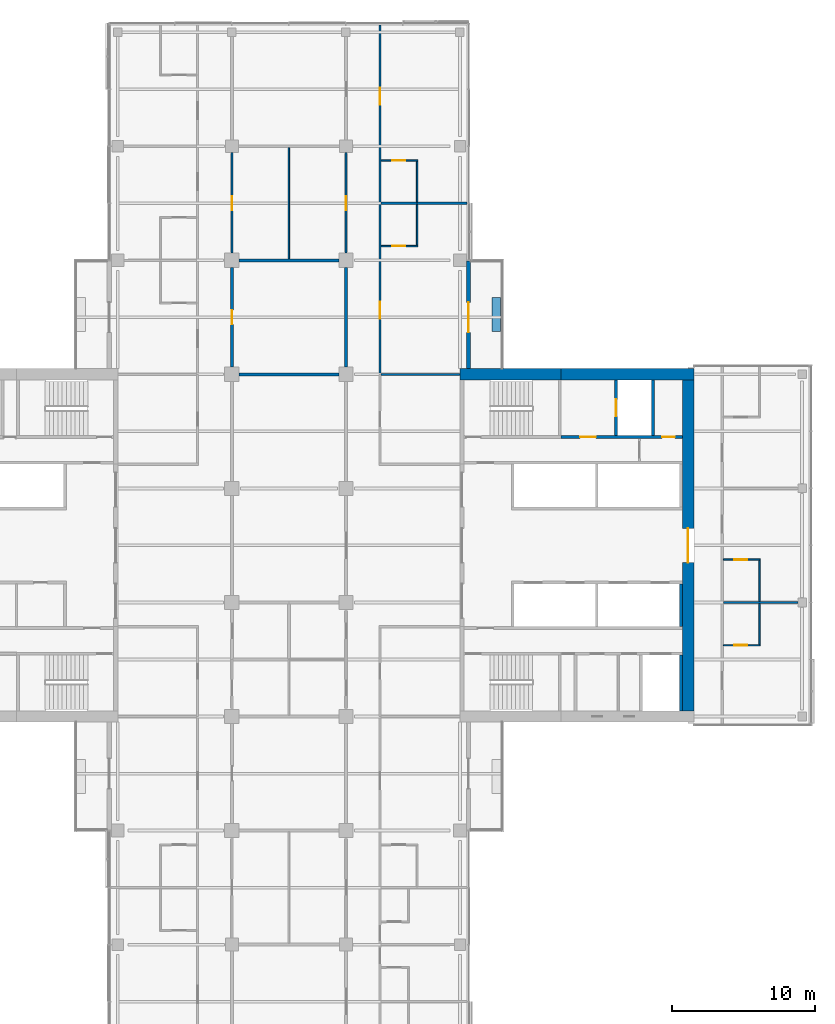
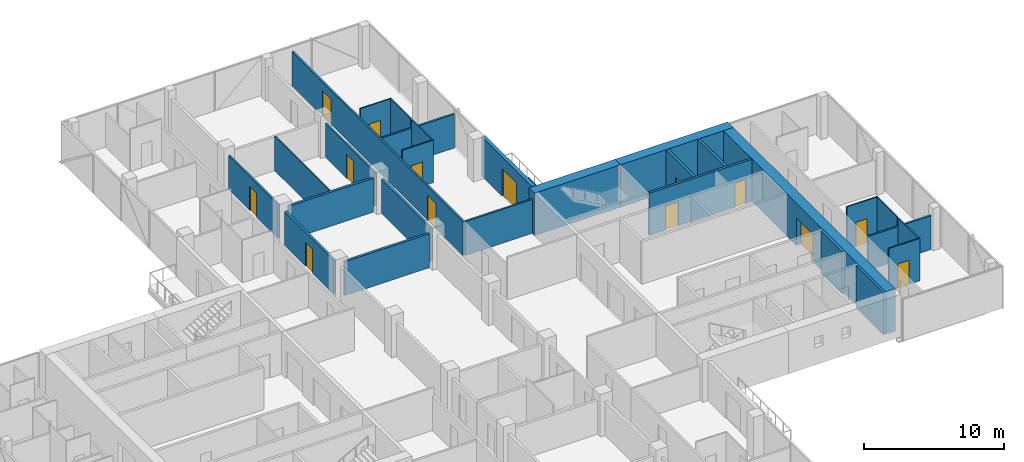
# One storey, part 19 of 25: 29 walls, 14 doors, 14 openings.
"""IFC4 building model written with IfcOpenShell, lengths in metres."""

from ifc_helpers import new_model, si_unit, direction, frame, frame_2d, origin, place, context, subcontext, project, spatial, rectangle, extrude, material, layer, layer_set, constituent, constituent_set, type_object, element, fill, save


model = new_model("IFC4")

# Units and contexts
model_context = context("Model", 3, precision=1e-05, world=origin(), true_north=direction((0.0, 1.0)))
body_context = subcontext(model_context, "Body", "Model", "MODEL_VIEW")
ifc_project = project(units=[si_unit("LENGTHUNIT", "METRE"), si_unit("AREAUNIT", "SQUARE_METRE"), si_unit("VOLUMEUNIT", "CUBIC_METRE"), si_unit("PLANEANGLEUNIT", "RADIAN"), si_unit("MASSUNIT", "GRAM", prefix="KILO")], contexts=[model_context])

# Site, building, storey
site_placement = place(None, origin())
site = spatial("IfcSite", under=ifc_project, at=site_placement, CompositionType="ELEMENT")
building_placement = place(site_placement, origin())
building = spatial("IfcBuilding", under=site, at=building_placement, Name="Crosswind Convention Tower", CompositionType="ELEMENT")
storey_placement = place(building_placement, frame((0.0, 0.0, 97.89990234375)))
storey = spatial("IfcBuildingStorey", under=building, at=storey_placement, Name="L19", CompositionType="ELEMENT", Elevation=97.89990234375)

# Wall, opening, door
ifc_material_1 = material(Name="Plasterboard partition", Category="gypsum")
ifc_layer_1 = layer(ifc_material_1, 0.14990234375)
ifc_layer_set_1 = layer_set([ifc_layer_1], Name="CORRIDOR WALL 150")
wall_type_1 = type_object("IfcWallType", Name="CORRIDOR WALL 150", PredefinedType="PARTITIONING", material=ifc_layer_set_1)
wall_1_placement = place(storey_placement, frame((121.0, 120.5, 0.0), z_axis=(0.0, 0.0, 1.0), x_axis=(0.0, 1.0, 0.0)))
wall_1 = element("IfcWall", 1, at=wall_1_placement, inside=storey, type_object=wall_type_1, Name="Corridor Wall 74", PredefinedType="PARTITIONING", context=body_context, shape_type="SweptSolid", body=[
    extrude(rectangle(XDim=7.050048828125, YDim=0.14990234375, at=frame_2d((3.52490234375, 0.0))), origin(), (0.0, 0.0, 1.0), 2.9599609375),
])
opening_1_placement = place(wall_1_placement, frame((3.0, 0.0, 0.0)))
opening_1 = element("IfcOpeningElement", 2, at=opening_1_placement, cuts=wall_1, Name="Opening 19.053", PredefinedType="OPENING", context=body_context, shape_type="SweptSolid", body=[
    extrude(rectangle(XDim=1.0, YDim=2.10009765625, at=frame_2d((0.5, 1.050048828125))), frame((0.0, 0.0849609375, 0.0), z_axis=(0.0, -1.0, 0.0), x_axis=(1.0, 0.0, 0.0)), (0.0, 0.0, 1.0), 0.169921875),
])
ifc_material_2 = material(Name="Timber fire door", Category="wood")
door_type_1 = type_object("IfcDoorType", Name="SERVICE ROOM DOOR 1000X2100", OperationType="NOTDEFINED", PredefinedType="DOOR", material=ifc_material_2)
door_1_placement = place(opening_1_placement, frame((1.0, 0.0, 0.0), z_axis=(0.0, 0.0, 1.0), x_axis=(-1.0, 0.0, 0.0)))
door_1 = element("IfcDoor", 3, at=door_1_placement, inside=storey, type_object=door_type_1, Name="Door 19.053", ObjectType="D3", OperationType="SINGLE_SWING_LEFT", OverallHeight=2.10009765625, OverallWidth=1.0, PredefinedType="DOOR", context=body_context, shape_type="SweptSolid", body=[
    extrude(rectangle(XDim=1.0, YDim=2.10009765625, at=frame_2d((0.5, 1.050048828125))), frame((0.0, 0.02490234375, 0.0), z_axis=(0.0, -1.0, 0.0), x_axis=(1.0, 0.0, 0.0)), (0.0, 0.0, 1.0), 0.050048828125),
])
fill(opening_1, door_1)

wall_2_placement = place(storey_placement, frame((129.0, 120.5, 0.0), z_axis=(0.0, 0.0, 1.0), x_axis=(0.0, 1.0, 0.0)))
wall_2 = element("IfcWall", 4, at=wall_2_placement, inside=storey, type_object=wall_type_1, Name="Corridor Wall 87", PredefinedType="PARTITIONING", context=body_context, shape_type="SweptSolid", body=[
    extrude(rectangle(XDim=7.050048828125, YDim=0.14990234375, at=frame_2d((3.52490234375, 0.0))), origin(), (0.0, 0.0, 1.0), 2.9599609375),
])
opening_2_placement = place(wall_2_placement, frame((3.0, 0.0, 0.0)))
opening_2 = element("IfcOpeningElement", 5, at=opening_2_placement, cuts=wall_2, Name="Opening 19.054", PredefinedType="OPENING", context=body_context, shape_type="SweptSolid", body=[
    extrude(rectangle(XDim=1.0, YDim=2.10009765625, at=frame_2d((0.5, 1.050048828125))), frame((0.0, 0.0849609375, 0.0), z_axis=(0.0, -1.0, 0.0), x_axis=(1.0, 0.0, 0.0)), (0.0, 0.0, 1.0), 0.169921875),
])
door_2_placement = place(opening_2_placement, origin())
door_2 = element("IfcDoor", 6, at=door_2_placement, inside=storey, type_object=door_type_1, Name="Door 19.054", ObjectType="D3", OperationType="SINGLE_SWING_RIGHT", OverallHeight=2.10009765625, OverallWidth=1.0, PredefinedType="DOOR", context=body_context, shape_type="SweptSolid", body=[
    extrude(rectangle(XDim=1.0, YDim=2.10009765625, at=frame_2d((0.5, 1.050048828125))), frame((0.0, 0.02490234375, 0.0), z_axis=(0.0, -1.0, 0.0), x_axis=(1.0, 0.0, 0.0)), (0.0, 0.0, 1.0), 0.050048828125),
])
fill(opening_2, door_2)

ifc_material_3 = material(Name="Concrete C60/75", Category="concrete")
ifc_layer_2 = layer(ifc_material_3, 0.800048828125)
ifc_layer_set_2 = layer_set([ifc_layer_2], Name="Concrete C60/75")
wall_type_2 = type_object("IfcWallType", Name="Concrete core wall 800", PredefinedType="SHEAR", material=ifc_layer_set_2)
wall_3_placement = place(storey_placement, frame((153.0, 88.39990234375, 0.0), z_axis=(0.0, 0.0, 1.0), x_axis=(0.0, 1.0, 0.0)))
wall_3 = element("IfcWall", 7, at=wall_3_placement, inside=storey, type_object=wall_type_2, Name="Wall O E L19", PredefinedType="SHEAR", context=body_context, shape_type="SweptSolid", body=[
    extrude(rectangle(XDim=23.2001953125, YDim=0.800048828125, at=frame_2d((11.60009765625, 0.0))), origin(), (0.0, 0.0, 1.0), 3.7001953125),
])
opening_3_placement = place(wall_3_placement, frame((10.39990234375, 0.0, 0.0)))
opening_3 = element("IfcOpeningElement", 8, at=opening_3_placement, cuts=wall_3, Name="Opening D100", PredefinedType="OPENING", context=body_context, shape_type="SweptSolid", body=[
    extrude(rectangle(XDim=2.39990234375, YDim=2.39990234375, at=frame_2d((1.199951171875, 1.199951171875))), frame((0.0, 0.409912109375, 0.0), z_axis=(0.0, -1.0, 0.0), x_axis=(1.0, 0.0, 0.0)), (0.0, 0.0, 1.0), 0.820068359375),
])
ifc_material_4 = material(Name="Steel fire door with glazed vision panels", Category="steel")
door_type_2 = type_object("IfcDoorType", Name="Fire-rated double door 2400x2400", OperationType="DOUBLE_DOOR_SINGLE_SWING", PredefinedType="DOOR", material=ifc_material_4)
door_3_placement = place(opening_3_placement, origin())
door_3 = element("IfcDoor", 9, at=door_3_placement, inside=storey, type_object=door_type_2, Name="Lobby outer door L19", ObjectType="D100", OperationType="DOUBLE_DOOR_SINGLE_SWING", OverallHeight=2.39990234375, OverallWidth=2.39990234375, PredefinedType="DOOR", context=body_context, shape_type="SweptSolid", body=[
    extrude(rectangle(XDim=2.39990234375, YDim=2.39990234375, at=frame_2d((1.199951171875, 1.199951171875))), frame((0.0, 0.02490234375, 0.0), z_axis=(0.0, -1.0, 0.0), x_axis=(1.0, 0.0, 0.0)), (0.0, 0.0, 1.0), 0.050048828125),
])
fill(opening_3, door_3)

# Wall
ifc_material_5 = material(Name="Concrete C50/60", Category="concrete")
ifc_layer_3 = layer(ifc_material_5, 0.199951171875)
ifc_layer_set_3 = layer_set([ifc_layer_3], Name="Concrete C50/60")
wall_type_3 = type_object("IfcWallType", Name="Concrete shaft and stair wall 200", PredefinedType="SHEAR", material=ifc_layer_set_3)
wall_4_placement = place(storey_placement, frame((152.5, 94.300048828125, 0.0), z_axis=(0.0, 0.0, 1.0), x_axis=(0.0, 1.0, 0.0)))
element("IfcWall", 10, at=wall_4_placement, inside=storey, type_object=wall_type_3, Name="Wall RMEAST E L19", PredefinedType="SHEAR", context=body_context, shape_type="SweptSolid", body=[
    extrude(rectangle(XDim=3.0, YDim=0.199951171875, at=frame_2d((1.5, 0.0))), origin(), (0.0, 0.0, 1.0), 3.7001953125),
])

# Wall, opening, door
wall_5_placement = place(storey_placement, frame((147.949951171875, 107.699951171875, 0.0), z_axis=(0.0, 0.0, 1.0), x_axis=(0.0, 1.0, 0.0)))
wall_5 = element("IfcWall", 11, at=wall_5_placement, inside=storey, type_object=wall_type_3, Name="Wall PFLW E L19", PredefinedType="SHEAR", context=body_context, shape_type="SweptSolid", body=[
    extrude(rectangle(XDim=3.900146484375, YDim=0.199951171875, at=frame_2d((1.9501953125, 0.0))), origin(), (0.0, 0.0, 1.0), 3.7001953125),
])
opening_4_placement = place(wall_5_placement, frame((1.35009765625, 0.0, 0.0)))
opening_4 = element("IfcOpeningElement", 12, at=opening_4_placement, cuts=wall_5, Name="Opening LD1", PredefinedType="OPENING", context=body_context, shape_type="SweptSolid", body=[
    extrude(rectangle(XDim=1.199951171875, YDim=2.10009765625, at=frame_2d((0.60009765625, 1.050048828125))), frame((0.0, 0.10986328125, 0.0), z_axis=(0.0, -1.0, 0.0), x_axis=(1.0, 0.0, 0.0)), (0.0, 0.0, 1.0), 0.219970703125),
])
ifc_material_6 = material(Name="Stainless steel", Category="steel")
door_type_3 = type_object("IfcDoorType", Name="Lift landing door 1200x2100", OperationType="DOUBLE_DOOR_SLIDING", PredefinedType="DOOR", material=ifc_material_6)
door_4_placement = place(opening_4_placement, origin())
door_4 = element("IfcDoor", 13, at=door_4_placement, inside=storey, type_object=door_type_3, Name="Landing door FF1 L19", ObjectType="LD1", OperationType="DOUBLE_DOOR_SLIDING", OverallHeight=2.10009765625, OverallWidth=1.199951171875, PredefinedType="DOOR", context=body_context, shape_type="SweptSolid", body=[
    extrude(rectangle(XDim=1.199951171875, YDim=2.10009765625, at=frame_2d((0.60009765625, 1.050048828125))), frame((0.0, 0.02490234375, 0.0), z_axis=(0.0, -1.0, 0.0), x_axis=(1.0, 0.0, 0.0)), (0.0, 0.0, 1.0), 0.050048828125),
])
fill(opening_4, door_4)

# Wall
wall_6_placement = place(storey_placement, frame((150.550048828125, 107.699951171875, 0.0), z_axis=(0.0, 0.0, 1.0), x_axis=(0.0, 1.0, 0.0)))
element("IfcWall", 14, at=wall_6_placement, inside=storey, type_object=wall_type_3, Name="Wall PFSE E L19", PredefinedType="SHEAR", context=body_context, shape_type="SweptSolid", body=[
    extrude(rectangle(XDim=3.900146484375, YDim=0.199951171875, at=frame_2d((1.9501953125, 0.0))), origin(), (0.0, 0.0, 1.0), 3.7001953125),
])

# Wall, openings, doors
wall_7_placement = place(storey_placement, frame((144.10009765625, 107.60009765625, 0.0), z_axis=(0.0, 0.0, 1.0), x_axis=(1.0, 0.0, 0.0)))
wall_7 = element("IfcWall", 15, at=wall_7_placement, inside=storey, type_object=wall_type_3, Name="Wall PCX E L19", PredefinedType="SHEAR", context=body_context, shape_type="SweptSolid", body=[
    extrude(rectangle(XDim=8.5, YDim=0.199951171875, at=frame_2d((4.25, 0.0))), origin(), (0.0, 0.0, 1.0), 3.7001953125),
])
opening_5_placement = place(wall_7_placement, frame((1.324951171875, 0.0, 0.0)))
opening_5 = element("IfcOpeningElement", 16, at=opening_5_placement, cuts=wall_7, Name="Opening D104", PredefinedType="OPENING", context=body_context, shape_type="SweptSolid", body=[
    extrude(rectangle(XDim=1.10009765625, YDim=2.10009765625, at=frame_2d((0.550048828125, 1.050048828125))), frame((0.0, 0.10986328125, 0.0), z_axis=(0.0, -1.0, 0.0), x_axis=(1.0, 0.0, 0.0)), (0.0, 0.0, 1.0), 0.219970703125),
])
opening_6_placement = place(wall_7_placement, frame((7.074951171875, 0.0, 0.0)))
opening_6 = element("IfcOpeningElement", 17, at=opening_6_placement, cuts=wall_7, Name="Opening D106", PredefinedType="OPENING", context=body_context, shape_type="SweptSolid", body=[
    extrude(rectangle(XDim=0.89990234375, YDim=2.10009765625, at=frame_2d((0.449951171875, 1.050048828125))), frame((0.0, 0.10986328125, 0.0), z_axis=(0.0, -1.0, 0.0), x_axis=(1.0, 0.0, 0.0)), (0.0, 0.0, 1.0), 0.219970703125),
])
ifc_material_7 = material(Name="Steel fire door", Category="steel")
door_type_4 = type_object("IfcDoorType", Name="Fire-rated single door 1100x2100", OperationType="NOTDEFINED", PredefinedType="DOOR", material=ifc_material_7)
door_5_placement = place(opening_5_placement, origin())
door_5 = element("IfcDoor", 18, at=door_5_placement, inside=storey, type_object=door_type_4, Name="Fire-fighting lobby FF1 door L19", ObjectType="D104", OperationType="SINGLE_SWING_RIGHT", OverallHeight=2.10009765625, OverallWidth=1.10009765625, PredefinedType="DOOR", context=body_context, shape_type="SweptSolid", body=[
    extrude(rectangle(XDim=1.10009765625, YDim=2.10009765625, at=frame_2d((0.550048828125, 1.050048828125))), frame((0.0, 0.02490234375, 0.0), z_axis=(0.0, -1.0, 0.0), x_axis=(1.0, 0.0, 0.0)), (0.0, 0.0, 1.0), 0.050048828125),
])
fill(opening_5, door_5)
ifc_material_8 = material(Name="Timber door", Category="wood")
door_type_5 = type_object("IfcDoorType", Name="Single leaf door 900x2100", OperationType="NOTDEFINED", PredefinedType="DOOR", material=ifc_material_8)
door_6_placement = place(opening_6_placement, origin())
door_6 = element("IfcDoor", 19, at=door_6_placement, inside=storey, type_object=door_type_5, Name="Door to telecoms room L19", ObjectType="D106", OperationType="SINGLE_SWING_RIGHT", OverallHeight=2.10009765625, OverallWidth=0.89990234375, PredefinedType="DOOR", context=body_context, shape_type="SweptSolid", body=[
    extrude(rectangle(XDim=0.89990234375, YDim=2.10009765625, at=frame_2d((0.449951171875, 1.050048828125))), frame((0.0, 0.02490234375, 0.0), z_axis=(0.0, -1.0, 0.0), x_axis=(1.0, 0.0, 0.0)), (0.0, 0.0, 1.0), 0.050048828125),
])
fill(opening_6, door_6)

# Walls
wall_8_placement = place(storey_placement, frame((152.5, 88.39990234375, 0.0), z_axis=(0.0, 0.0, 1.0), x_axis=(0.0, 1.0, 0.0)))
element("IfcWall", 20, at=wall_8_placement, inside=storey, type_object=wall_type_3, Name="Wall MFSE E L19", PredefinedType="SHEAR", context=body_context, shape_type="SweptSolid", body=[
    extrude(rectangle(XDim=3.900146484375, YDim=0.199951171875, at=frame_2d((1.9501953125, 0.0))), origin(), (0.0, 0.0, 1.0), 3.7001953125),
])
ifc_material_9 = material(Name="Acoustic plasterboard partition", Category="gypsum")
ifc_layer_4 = layer(ifc_material_9, 0.14990234375)
ifc_layer_set_4 = layer_set([ifc_layer_4], Name="GUEST ROOM WALL 150")
wall_type_4 = type_object("IfcWallType", Name="GUEST ROOM WALL 150", PredefinedType="PARTITIONING", material=ifc_layer_set_4)
wall_9_placement = place(storey_placement, frame((155.47509765625, 96.0, 0.0), z_axis=(0.0, 0.0, 1.0), x_axis=(1.0, 0.0, 0.0)))
element("IfcWall", 21, at=wall_9_placement, inside=storey, type_object=wall_type_4, Name="Guest Room Wall 25", PredefinedType="PARTITIONING", context=body_context, shape_type="SweptSolid", body=[
    extrude(rectangle(XDim=5.224853515625, YDim=0.14990234375, at=frame_2d((2.6123046875, 0.0))), origin(), (0.0, 0.0, 1.0), 2.95654296875),
])
wall_10_placement = place(storey_placement, frame((131.47509765625, 112.0, 0.0), z_axis=(0.0, 0.0, 1.0), x_axis=(1.0, 0.0, 0.0)))
element("IfcWall", 22, at=wall_10_placement, inside=storey, type_object=wall_type_4, Name="Guest Room Wall 40", PredefinedType="PARTITIONING", context=body_context, shape_type="SweptSolid", body=[
    extrude(rectangle(XDim=5.52490234375, YDim=0.14990234375, at=frame_2d((2.762451171875, 0.0))), origin(), (0.0, 0.0, 1.0), 2.95654296875),
])
wall_11_placement = place(storey_placement, frame((131.47509765625, 124.0, 0.0), z_axis=(0.0, 0.0, 1.0), x_axis=(1.0, 0.0, 0.0)))
element("IfcWall", 23, at=wall_11_placement, inside=storey, type_object=wall_type_4, Name="Guest Room Wall 46", PredefinedType="PARTITIONING", context=body_context, shape_type="SweptSolid", body=[
    extrude(rectangle(XDim=6.02490234375, YDim=0.14990234375, at=frame_2d((3.012451171875, 0.0))), origin(), (0.0, 0.0, 1.0), 2.962890625),
])

# Wall, openings, doors
wall_12_placement = place(storey_placement, frame((131.39990234375, 112.0, 0.0), z_axis=(0.0, 0.0, 1.0), x_axis=(0.0, 1.0, 0.0)))
wall_12 = element("IfcWall", 24, at=wall_12_placement, inside=storey, type_object=wall_type_4, Name="Guest Room Wall 92", PredefinedType="PARTITIONING", context=body_context, shape_type="SweptSolid", body=[
    extrude(rectangle(XDim=24.5, YDim=0.14990234375, at=frame_2d((12.25, 0.0))), origin(), (0.0, 0.0, 1.0), 2.95654296875),
])
opening_7_placement = place(wall_12_placement, frame((3.89990234375, 0.0, 0.0)))
opening_7 = element("IfcOpeningElement", 25, at=opening_7_placement, cuts=wall_12, Name="Opening 19.005", PredefinedType="OPENING", context=body_context, shape_type="SweptSolid", body=[
    extrude(rectangle(XDim=1.199951171875, YDim=2.199951171875, at=frame_2d((0.60009765625, 1.10009765625))), frame((0.0, 0.0849609375, 0.0), z_axis=(0.0, -1.0, 0.0), x_axis=(1.0, 0.0, 0.0)), (0.0, 0.0, 1.0), 0.169921875),
])
opening_8_placement = place(wall_12_placement, frame((18.89990234375, 0.0, 0.0)))
opening_8 = element("IfcOpeningElement", 26, at=opening_8_placement, cuts=wall_12, Name="Opening 19.007", PredefinedType="OPENING", context=body_context, shape_type="SweptSolid", body=[
    extrude(rectangle(XDim=1.199951171875, YDim=2.199951171875, at=frame_2d((0.60009765625, 1.10009765625))), frame((0.0, 0.0849609375, 0.0), z_axis=(0.0, -1.0, 0.0), x_axis=(1.0, 0.0, 0.0)), (0.0, 0.0, 1.0), 0.169921875),
])
door_type_6 = type_object("IfcDoorType", Name="SUITE DOOR 1200X2200", OperationType="DOUBLE_DOOR_SINGLE_SWING", PredefinedType="DOOR", material=ifc_material_2)
door_7_placement = place(opening_7_placement, frame((1.199951171875, 0.0, 0.0), z_axis=(0.0, 0.0, 1.0), x_axis=(-1.0, 0.0, 0.0)))
door_7 = element("IfcDoor", 27, at=door_7_placement, inside=storey, type_object=door_type_6, Name="Door 19.005", ObjectType="D14", OperationType="DOUBLE_DOOR_SINGLE_SWING", OverallHeight=2.199951171875, OverallWidth=1.199951171875, PredefinedType="DOOR", context=body_context, shape_type="SweptSolid", body=[
    extrude(rectangle(XDim=1.199951171875, YDim=2.199951171875, at=frame_2d((0.60009765625, 1.10009765625))), frame((0.0, 0.02490234375, 0.0), z_axis=(0.0, -1.0, 0.0), x_axis=(1.0, 0.0, 0.0)), (0.0, 0.0, 1.0), 0.050048828125),
])
fill(opening_7, door_7)
door_8_placement = place(opening_8_placement, frame((1.199951171875, 0.0, 0.0), z_axis=(0.0, 0.0, 1.0), x_axis=(-1.0, 0.0, 0.0)))
door_8 = element("IfcDoor", 28, at=door_8_placement, inside=storey, type_object=door_type_6, Name="Door 19.007", ObjectType="D14", OperationType="DOUBLE_DOOR_SINGLE_SWING", OverallHeight=2.199951171875, OverallWidth=1.199951171875, PredefinedType="DOOR", context=body_context, shape_type="SweptSolid", body=[
    extrude(rectangle(XDim=1.199951171875, YDim=2.199951171875, at=frame_2d((0.60009765625, 1.10009765625))), frame((0.0, 0.02490234375, 0.0), z_axis=(0.0, -1.0, 0.0), x_axis=(1.0, 0.0, 0.0)), (0.0, 0.0, 1.0), 0.050048828125),
])
fill(opening_8, door_8)

# Walls
ifc_material_10 = material(Name="Double plasterboard partition", Category="gypsum")
ifc_layer_5 = layer(ifc_material_10, 0.199951171875)
ifc_layer_set_5 = layer_set([ifc_layer_5], Name="HALL WALL 200")
wall_type_5 = type_object("IfcWallType", Name="HALL WALL 200", PredefinedType="PARTITIONING", material=ifc_layer_set_5)
for number, where, z_axis, x_axis, name in (
    (29, (121.5, 112.0, 0.0), (0.0, 0.0, 1.0), (1.0, 0.0, 0.0), "Hall Wall 39"),
    (30, (121.5, 120.0, 0.0), (0.0, 0.0, 1.0), (1.0, 0.0, 0.0), "Hall Wall 43"),
):
    element("IfcWall", number, at=place(storey_placement, frame(where, z_axis=z_axis, x_axis=x_axis)), inside=storey, type_object=wall_type_5, Name=name, PredefinedType="PARTITIONING", context=body_context, shape_type="SweptSolid", body=[
        extrude(rectangle(XDim=7.0, YDim=0.199951171875, at=frame_2d((3.5, 0.0))), origin(), (0.0, 0.0, 1.0), 2.9599609375),
    ])

# Wall, opening, door
wall_13_placement = place(storey_placement, frame((121.0, 112.5, 0.0), z_axis=(0.0, 0.0, 1.0), x_axis=(0.0, 1.0, 0.0)))
wall_13 = element("IfcWall", 31, at=wall_13_placement, inside=storey, type_object=wall_type_5, Name="Hall Wall 73", PredefinedType="PARTITIONING", context=body_context, shape_type="SweptSolid", body=[
    extrude(rectangle(XDim=7.0, YDim=0.199951171875, at=frame_2d((3.5, 0.0))), origin(), (0.0, 0.0, 1.0), 2.9599609375),
])
opening_9_placement = place(wall_13_placement, frame((3.0, 0.0, 0.0)))
opening_9 = element("IfcOpeningElement", 32, at=opening_9_placement, cuts=wall_13, Name="Opening 19.052", PredefinedType="OPENING", context=body_context, shape_type="SweptSolid", body=[
    extrude(rectangle(XDim=1.0, YDim=2.10009765625, at=frame_2d((0.5, 1.050048828125))), frame((0.0, 0.10986328125, 0.0), z_axis=(0.0, -1.0, 0.0), x_axis=(1.0, 0.0, 0.0)), (0.0, 0.0, 1.0), 0.219970703125),
])
door_type_7 = type_object("IfcDoorType", Name="MEETING ROOM DOOR 1000X2100", OperationType="NOTDEFINED", PredefinedType="DOOR", material=ifc_material_2)
door_9_placement = place(opening_9_placement, origin())
door_9 = element("IfcDoor", 33, at=door_9_placement, inside=storey, type_object=door_type_7, Name="Door 19.052", ObjectType="D13", OperationType="SINGLE_SWING_RIGHT", OverallHeight=2.10009765625, OverallWidth=1.0, PredefinedType="DOOR", context=body_context, shape_type="SweptSolid", body=[
    extrude(rectangle(XDim=1.0, YDim=2.10009765625, at=frame_2d((0.5, 1.050048828125))), frame((0.0, 0.02490234375, 0.0), z_axis=(0.0, -1.0, 0.0), x_axis=(1.0, 0.0, 0.0)), (0.0, 0.0, 1.0), 0.050048828125),
])
fill(opening_9, door_9)

# Walls
wall_14_placement = place(storey_placement, frame((129.0, 112.5, 0.0), z_axis=(0.0, 0.0, 1.0), x_axis=(0.0, 1.0, 0.0)))
element("IfcWall", 34, at=wall_14_placement, inside=storey, type_object=wall_type_5, Name="Hall Wall 86", PredefinedType="PARTITIONING", context=body_context, shape_type="SweptSolid", body=[
    extrude(rectangle(XDim=7.0, YDim=0.199951171875, at=frame_2d((3.5, 0.0))), origin(), (0.0, 0.0, 1.0), 2.9599609375),
])
ifc_layer_6 = layer(ifc_material_1, 0.10009765625)
ifc_layer_set_6 = layer_set([ifc_layer_6], Name="PARTITION 100")
wall_type_6 = type_object("IfcWallType", Name="PARTITION 100", PredefinedType="PARTITIONING", material=ifc_layer_set_6)
wall_15_placement = place(storey_placement, frame((125.0, 120.10009765625, 0.0), z_axis=(0.0, 0.0, 1.0), x_axis=(0.0, 1.0, 0.0)))
element("IfcWall", 35, at=wall_15_placement, inside=storey, type_object=wall_type_6, Name="Partition 79", PredefinedType="PARTITIONING", context=body_context, shape_type="SweptSolid", body=[
    extrude(rectangle(XDim=7.7998046875, YDim=0.10009765625, at=frame_2d((3.89990234375, 0.0))), origin(), (0.0, 0.0, 1.0), 3.013671875),
])
ifc_material_11 = material(Name="Concrete C30/37", Category="concrete")
ifc_layer_7 = layer(ifc_material_11, 0.60009765625)
ifc_layer_set_7 = layer_set([ifc_layer_7], Name="Concrete C30/37")
wall_type_7 = type_object("IfcWallType", Name="PLANTER BOX WALL 600", PredefinedType="SOLIDWALL", material=ifc_layer_set_7)
wall_16_placement = place(storey_placement, frame((139.550048828125, 115.0, 0.0), z_axis=(0.0, 0.0, 1.0), x_axis=(0.0, 1.0, 0.0)))
element("IfcWall", 36, at=wall_16_placement, inside=storey, type_object=wall_type_7, Name="PLANTER L19 N-E.1-1", PredefinedType="SOLIDWALL", context=body_context, shape_type="SweptSolid", body=[
    extrude(rectangle(XDim=2.39990234375, YDim=0.60009765625, at=frame_2d((1.199951171875, 0.0))), origin(), (0.0, 0.0, 1.0), 0.60009765625),
])

# Wall, opening, door
ifc_material_12 = material(Name="Terracotta rainscreen", Category="ceramic")
ifc_layer_8 = layer(ifc_material_12, 0.02001953125)
ifc_material_13 = material(Name="Mineral wool insulation", Category="insulation")
ifc_layer_9 = layer(ifc_material_13, 0.10009765625)
ifc_material_14 = material(Name="Concrete blockwork", Category="masonry")
ifc_layer_10 = layer(ifc_material_14, 0.179931640625)
ifc_layer_set_8 = layer_set([ifc_layer_8, ifc_layer_9, ifc_layer_10], Name="TERRACOTTA INFILL WALL 300")
wall_type_8 = type_object("IfcWallType", Name="TERRACOTTA INFILL WALL 300", PredefinedType="SOLIDWALL", material=ifc_layer_set_8)
wall_17_placement = place(storey_placement, frame((137.60009765625, 112.39990234375, 0.0), z_axis=(0.0, 0.0, 1.0), x_axis=(0.0, 1.0, 0.0)))
wall_17 = element("IfcWall", 37, at=wall_17_placement, inside=storey, type_object=wall_type_8, Name="Notch front wall L19 N-E.1-1", PredefinedType="SOLIDWALL", context=body_context, shape_type="SweptSolid", body=[
    extrude(rectangle(XDim=7.567626953125, YDim=0.300048828125, at=frame_2d((3.78369140625, 0.0))), origin(), (0.0, 0.0, 1.0), 3.420166015625),
])
opening_10_placement = place(wall_17_placement, frame((2.550048828125, 0.0, 0.0)))
opening_10 = element("IfcOpeningElement", 38, at=opening_10_placement, cuts=wall_17, Name="Opening D141", PredefinedType="OPENING", context=body_context, shape_type="SweptSolid", body=[
    extrude(rectangle(XDim=2.10009765625, YDim=2.39990234375, at=frame_2d((1.050048828125, 1.199951171875))), frame((0.0, 0.159912109375, 0.0), z_axis=(0.0, -1.0, 0.0), x_axis=(1.0, 0.0, 0.0)), (0.0, 0.0, 1.0), 0.320068359375),
])
ifc_material_15 = material(Name="Aluminium glazed door", Category="aluminium")
door_type_8 = type_object("IfcDoorType", Name="BALCONY SLIDING DOOR 2100X2400", OperationType="SLIDING_TO_LEFT", PredefinedType="DOOR", material=ifc_material_15)
door_10_placement = place(opening_10_placement, frame((2.10009765625, 0.0, 0.0), z_axis=(0.0, 0.0, 1.0), x_axis=(-1.0, 0.0, 0.0)))
door_10 = element("IfcDoor", 39, at=door_10_placement, inside=storey, type_object=door_type_8, Name="D141 balcony door L19 N-E.1-1", ObjectType="D141", OperationType="SLIDING_TO_LEFT", OverallHeight=2.39990234375, OverallWidth=2.10009765625, PredefinedType="DOOR", context=body_context, shape_type="SweptSolid", body=[
    extrude(rectangle(XDim=2.10009765625, YDim=2.39990234375, at=frame_2d((1.050048828125, 1.199951171875))), frame((0.0, 0.02490234375, 0.0), z_axis=(0.0, -1.0, 0.0), x_axis=(1.0, 0.0, 0.0)), (0.0, 0.0, 1.0), 0.050048828125),
])
fill(opening_10, door_10)

# Walls
ifc_constituent_1 = constituent(ifc_material_3, Name="Structure")
ifc_constituent_2 = constituent(ifc_material_12, Name="Facing")
ifc_constituent_set = constituent_set(constituents=[ifc_constituent_1, ifc_constituent_2], Name="Concrete C60/75, Terracotta rainscreen")
wall_type_9 = type_object("IfcWallType", Name="Terracotta rainscreen on concrete core wall 800", PredefinedType="SHEAR", material=ifc_constituent_set)
wall_18_placement = place(storey_placement, frame((137.0, 112.0, 0.0), z_axis=(0.0, 0.0, 1.0), x_axis=(1.0, 0.0, 0.0)))
element("IfcWall", 40, at=wall_18_placement, inside=storey, type_object=wall_type_9, Name="Wall N1 E L19", PredefinedType="SHEAR", context=body_context, shape_type="SweptSolid", body=[
    extrude(rectangle(XDim=7.10009765625, YDim=0.800048828125, at=frame_2d((3.550048828125, 0.0))), origin(), (0.0, 0.0, 1.0), 3.7001953125),
])
wall_19_placement = place(storey_placement, frame((144.10009765625, 112.0, 0.0), z_axis=(0.0, 0.0, 1.0), x_axis=(1.0, 0.0, 0.0)))
element("IfcWall", 41, at=wall_19_placement, inside=storey, type_object=wall_type_9, Name="Wall N2 E L19", PredefinedType="SHEAR", context=body_context, shape_type="SweptSolid", body=[
    extrude(rectangle(XDim=9.2998046875, YDim=0.800048828125, at=frame_2d((4.64990234375, 0.0))), origin(), (0.0, 0.0, 1.0), 3.7001953125),
])

# Wall, opening, door
ifc_material_16 = material(Name="Water-resistant plasterboard partition", Category="gypsum")
ifc_layer_11 = layer(ifc_material_16, 0.10009765625)
ifc_layer_set_9 = layer_set([ifc_layer_11], Name="WET ROOM PARTITION 100")
wall_type_10 = type_object("IfcWallType", Name="WET ROOM PARTITION 100", PredefinedType="PLUMBINGWALL", material=ifc_layer_set_9)
wall_20_placement = place(storey_placement, frame((155.47509765625, 93.0, 0.0), z_axis=(0.0, 0.0, 1.0), x_axis=(1.0, 0.0, 0.0)))
wall_20 = element("IfcWall", 42, at=wall_20_placement, inside=storey, type_object=wall_type_10, Name="Wet Room Partition 19", PredefinedType="PLUMBINGWALL", context=body_context, shape_type="SweptSolid", body=[
    extrude(rectangle(XDim=2.574951171875, YDim=0.10009765625, at=frame_2d((1.28759765625, 0.0))), origin(), (0.0, 0.0, 1.0), 3.7001953125),
])
opening_11_placement = place(wall_20_placement, frame((0.77490234375, 0.0, 0.0)))
opening_11 = element("IfcOpeningElement", 43, at=opening_11_placement, cuts=wall_20, Name="Opening 19.028", PredefinedType="OPENING", context=body_context, shape_type="SweptSolid", body=[
    extrude(rectangle(XDim=0.89990234375, YDim=2.10009765625, at=frame_2d((0.449951171875, 1.050048828125))), frame((0.0, 0.06005859375, 0.0), z_axis=(0.0, -1.0, 0.0), x_axis=(1.0, 0.0, 0.0)), (0.0, 0.0, 1.0), 0.1201171875),
])
door_type_9 = type_object("IfcDoorType", Name="EN-SUITE DOOR 900X2100", OperationType="NOTDEFINED", PredefinedType="DOOR", material=ifc_material_8)
door_11_placement = place(opening_11_placement, origin())
door_11 = element("IfcDoor", 44, at=door_11_placement, inside=storey, type_object=door_type_9, Name="Door 19.028", ObjectType="D2", OperationType="SINGLE_SWING_RIGHT", OverallHeight=2.10009765625, OverallWidth=0.89990234375, PredefinedType="DOOR", context=body_context, shape_type="SweptSolid", body=[
    extrude(rectangle(XDim=0.89990234375, YDim=2.10009765625, at=frame_2d((0.449951171875, 1.050048828125))), frame((0.0, 0.02490234375, 0.0), z_axis=(0.0, -1.0, 0.0), x_axis=(1.0, 0.0, 0.0)), (0.0, 0.0, 1.0), 0.050048828125),
])
fill(opening_11, door_11)

wall_21_placement = place(storey_placement, frame((155.47509765625, 99.0, 0.0), z_axis=(0.0, 0.0, 1.0), x_axis=(1.0, 0.0, 0.0)))
wall_21 = element("IfcWall", 45, at=wall_21_placement, inside=storey, type_object=wall_type_10, Name="Wet Room Partition 27", PredefinedType="PLUMBINGWALL", context=body_context, shape_type="SweptSolid", body=[
    extrude(rectangle(XDim=2.574951171875, YDim=0.10009765625, at=frame_2d((1.28759765625, 0.0))), origin(), (0.0, 0.0, 1.0), 3.7001953125),
])
opening_12_placement = place(wall_21_placement, frame((0.77490234375, 0.0, 0.0)))
opening_12 = element("IfcOpeningElement", 46, at=opening_12_placement, cuts=wall_21, Name="Opening 19.030", PredefinedType="OPENING", context=body_context, shape_type="SweptSolid", body=[
    extrude(rectangle(XDim=0.89990234375, YDim=2.10009765625, at=frame_2d((0.449951171875, 1.050048828125))), frame((0.0, 0.06005859375, 0.0), z_axis=(0.0, -1.0, 0.0), x_axis=(1.0, 0.0, 0.0)), (0.0, 0.0, 1.0), 0.1201171875),
])
door_12_placement = place(opening_12_placement, frame((0.89990234375, 0.0, 0.0), z_axis=(0.0, 0.0, 1.0), x_axis=(-1.0, 0.0, 0.0)))
door_12 = element("IfcDoor", 47, at=door_12_placement, inside=storey, type_object=door_type_9, Name="Door 19.030", ObjectType="D2", OperationType="SINGLE_SWING_LEFT", OverallHeight=2.10009765625, OverallWidth=0.89990234375, PredefinedType="DOOR", context=body_context, shape_type="SweptSolid", body=[
    extrude(rectangle(XDim=0.89990234375, YDim=2.10009765625, at=frame_2d((0.449951171875, 1.050048828125))), frame((0.0, 0.02490234375, 0.0), z_axis=(0.0, -1.0, 0.0), x_axis=(1.0, 0.0, 0.0)), (0.0, 0.0, 1.0), 0.050048828125),
])
fill(opening_12, door_12)

wall_22_placement = place(storey_placement, frame((131.47509765625, 121.0, 0.0), z_axis=(0.0, 0.0, 1.0), x_axis=(1.0, 0.0, 0.0)))
wall_22 = element("IfcWall", 48, at=wall_22_placement, inside=storey, type_object=wall_type_10, Name="Wet Room Partition 44", PredefinedType="PLUMBINGWALL", context=body_context, shape_type="SweptSolid", body=[
    extrude(rectangle(XDim=2.574951171875, YDim=0.10009765625, at=frame_2d((1.28759765625, 0.0))), origin(), (0.0, 0.0, 1.0), 3.7001953125),
])
opening_13_placement = place(wall_22_placement, frame((0.77490234375, 0.0, 0.0)))
opening_13 = element("IfcOpeningElement", 49, at=opening_13_placement, cuts=wall_22, Name="Opening 19.006", PredefinedType="OPENING", context=body_context, shape_type="SweptSolid", body=[
    extrude(rectangle(XDim=0.89990234375, YDim=2.10009765625, at=frame_2d((0.449951171875, 1.050048828125))), frame((0.0, 0.06005859375, 0.0), z_axis=(0.0, -1.0, 0.0), x_axis=(1.0, 0.0, 0.0)), (0.0, 0.0, 1.0), 0.1201171875),
])
door_13_placement = place(opening_13_placement, origin())
door_13 = element("IfcDoor", 50, at=door_13_placement, inside=storey, type_object=door_type_9, Name="Door 19.006", ObjectType="D2", OperationType="SINGLE_SWING_RIGHT", OverallHeight=2.10009765625, OverallWidth=0.89990234375, PredefinedType="DOOR", context=body_context, shape_type="SweptSolid", body=[
    extrude(rectangle(XDim=0.89990234375, YDim=2.10009765625, at=frame_2d((0.449951171875, 1.050048828125))), frame((0.0, 0.02490234375, 0.0), z_axis=(0.0, -1.0, 0.0), x_axis=(1.0, 0.0, 0.0)), (0.0, 0.0, 1.0), 0.050048828125),
])
fill(opening_13, door_13)

wall_23_placement = place(storey_placement, frame((131.47509765625, 127.0, 0.0), z_axis=(0.0, 0.0, 1.0), x_axis=(1.0, 0.0, 0.0)))
wall_23 = element("IfcWall", 51, at=wall_23_placement, inside=storey, type_object=wall_type_10, Name="Wet Room Partition 47", PredefinedType="PLUMBINGWALL", context=body_context, shape_type="SweptSolid", body=[
    extrude(rectangle(XDim=2.574951171875, YDim=0.10009765625, at=frame_2d((1.28759765625, 0.0))), origin(), (0.0, 0.0, 1.0), 3.7001953125),
])
opening_14_placement = place(wall_23_placement, frame((0.77490234375, 0.0, 0.0)))
opening_14 = element("IfcOpeningElement", 52, at=opening_14_placement, cuts=wall_23, Name="Opening 19.008", PredefinedType="OPENING", context=body_context, shape_type="SweptSolid", body=[
    extrude(rectangle(XDim=0.89990234375, YDim=2.10009765625, at=frame_2d((0.449951171875, 1.050048828125))), frame((0.0, 0.06005859375, 0.0), z_axis=(0.0, -1.0, 0.0), x_axis=(1.0, 0.0, 0.0)), (0.0, 0.0, 1.0), 0.1201171875),
])
door_14_placement = place(opening_14_placement, frame((0.89990234375, 0.0, 0.0), z_axis=(0.0, 0.0, 1.0), x_axis=(-1.0, 0.0, 0.0)))
door_14 = element("IfcDoor", 53, at=door_14_placement, inside=storey, type_object=door_type_9, Name="Door 19.008", ObjectType="D2", OperationType="SINGLE_SWING_LEFT", OverallHeight=2.10009765625, OverallWidth=0.89990234375, PredefinedType="DOOR", context=body_context, shape_type="SweptSolid", body=[
    extrude(rectangle(XDim=0.89990234375, YDim=2.10009765625, at=frame_2d((0.449951171875, 1.050048828125))), frame((0.0, 0.02490234375, 0.0), z_axis=(0.0, -1.0, 0.0), x_axis=(1.0, 0.0, 0.0)), (0.0, 0.0, 1.0), 0.050048828125),
])
fill(opening_14, door_14)

# Walls
for number, where, z_axis, x_axis, name in (
    (54, (134.0, 121.050048828125, 0.0), (0.0, 0.0, 1.0), (0.0, 1.0, 0.0), "Wet Room Partition 97"),
    (55, (134.0, 124.074951171875, 0.0), (0.0, 0.0, 1.0), (0.0, 1.0, 0.0), "Wet Room Partition 98"),
    (56, (158.0, 93.050048828125, 0.0), (0.0, 0.0, 1.0), (0.0, 1.0, 0.0), "Wet Room Partition 100"),
    (57, (158.0, 96.074951171875, 0.0), (0.0, 0.0, 1.0), (0.0, 1.0, 0.0), "Wet Room Partition 101"),
):
    element("IfcWall", number, at=place(storey_placement, frame(where, z_axis=z_axis, x_axis=x_axis)), inside=storey, type_object=wall_type_10, Name=name, PredefinedType="PLUMBINGWALL", context=body_context, shape_type="SweptSolid", body=[
        extrude(rectangle(XDim=2.875, YDim=0.10009765625, at=frame_2d((1.4375, 0.0))), origin(), (0.0, 0.0, 1.0), 3.7001953125),
    ])

save(model, "model.ifc")
